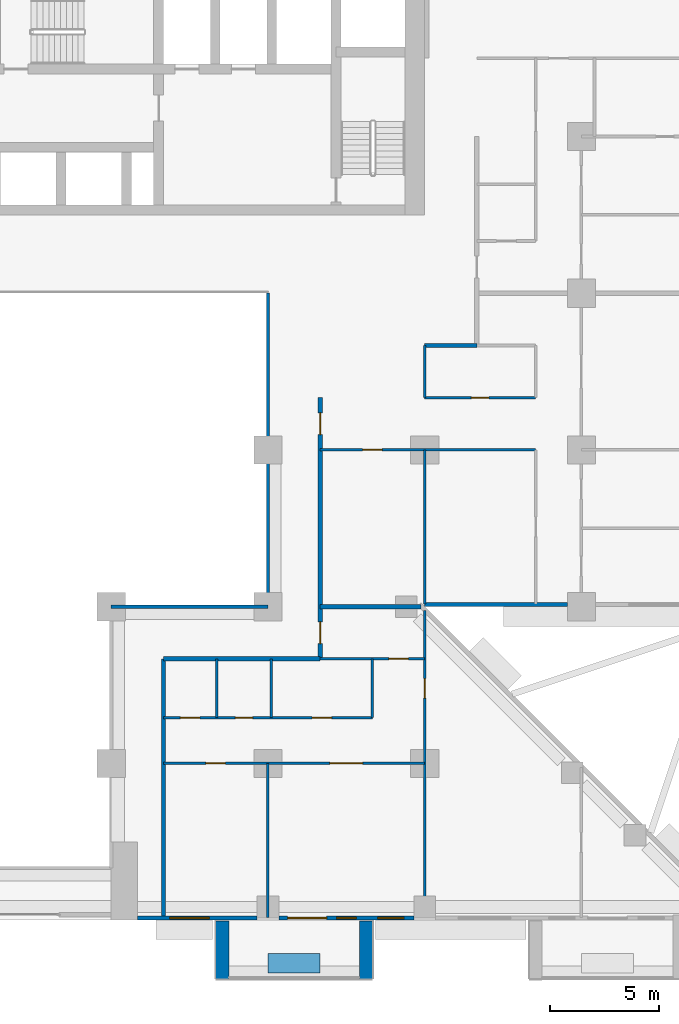
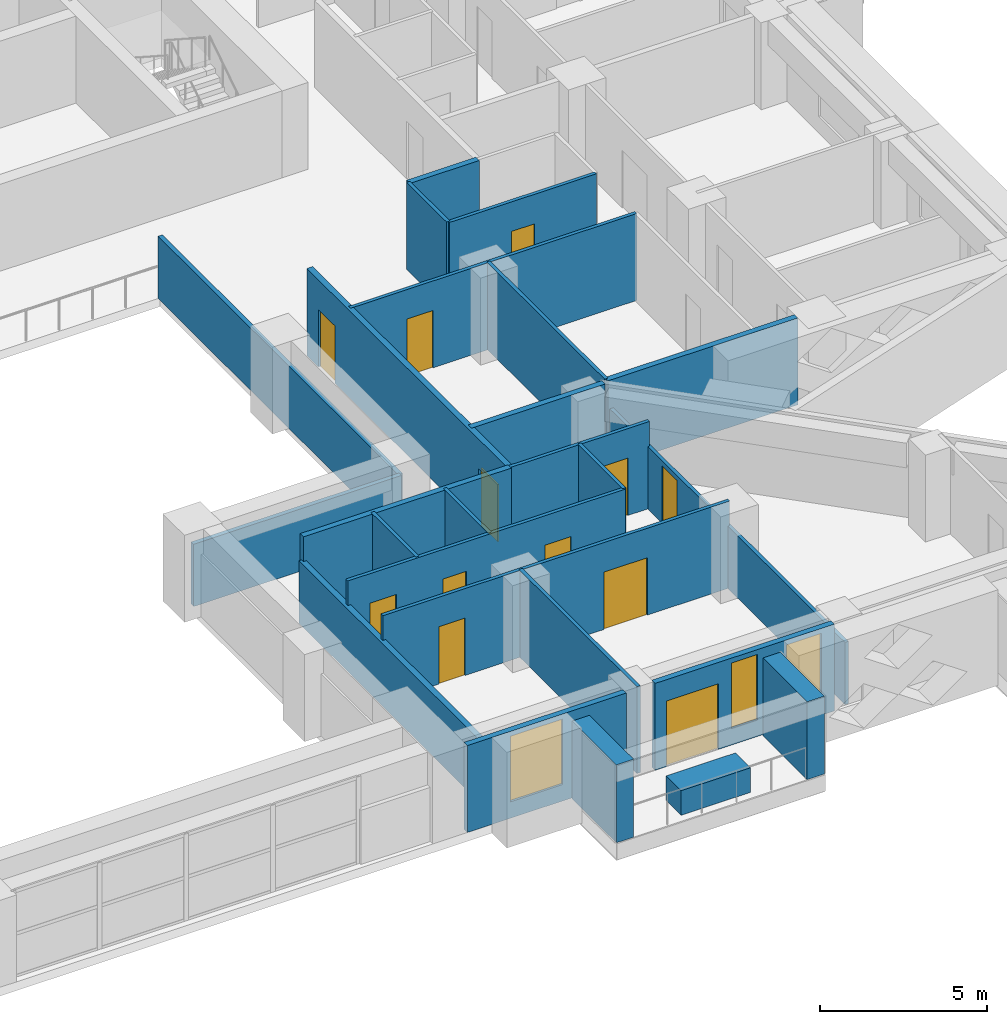
# One storey, part 8 of 17: 25 walls, 12 doors, 3 windows, 15 openings.
"""IFC4 building model written with IfcOpenShell, lengths in metres."""

from ifc_helpers import new_model, si_unit, direction, frame, frame_2d, origin, place, context, subcontext, project, spatial, rectangle, extrude, material, layer, layer_set, type_object, element, fill, save


model = new_model("IFC4")

# Units and contexts
model_context = context("Model", 3, precision=1e-05, world=origin(), true_north=direction((0.0, 1.0)))
body_context = subcontext(model_context, "Body", "Model", "MODEL_VIEW")
ifc_project = project(units=[si_unit("LENGTHUNIT", "METRE"), si_unit("AREAUNIT", "SQUARE_METRE"), si_unit("VOLUMEUNIT", "CUBIC_METRE"), si_unit("PLANEANGLEUNIT", "RADIAN"), si_unit("MASSUNIT", "GRAM", prefix="KILO")], contexts=[model_context])

# Site, building, storey
site_placement = place(None, origin())
site = spatial("IfcSite", under=ifc_project, at=site_placement, CompositionType="ELEMENT")
building_placement = place(site_placement, origin())
building = spatial("IfcBuilding", under=site, at=building_placement, Name="Saffron Iwan Residences", CompositionType="ELEMENT")
storey_placement = place(building_placement, frame((0.0, 0.0, 62.0)))
storey = spatial("IfcBuildingStorey", under=building, at=storey_placement, Name="L15", CompositionType="ELEMENT", Elevation=62.0)

# Walls
ifc_material_1 = material(Name="Fire-rated glazing", Category="glass")
ifc_layer_1 = layer(ifc_material_1, 0.14990234375)
ifc_layer_set_1 = layer_set([ifc_layer_1], Name="Fire-rated glazing")
wall_type_1 = type_object("IfcWallType", Name="Atrium glazed screen 150", PredefinedType="SOLIDWALL", material=ifc_layer_set_1)
wall_1_placement = place(storey_placement, frame((57.60009765625, 48.0, 0.0), z_axis=(0.0, 0.0, 1.0), x_axis=(1.0, 0.0, 0.0)))
element("IfcWall", 1, at=wall_1_placement, inside=storey, type_object=wall_type_1, Name="W-L15-SCREEN-h48-57.6", PredefinedType="SOLIDWALL", context=body_context, shape_type="SweptSolid", body=[
    extrude(rectangle(XDim=7.199951171875, YDim=0.14990234375, at=frame_2d((3.60009765625, 0.0))), origin(), (0.0, 0.0, 1.0), 2.280029296875),
])
wall_2_placement = place(storey_placement, frame((64.800048828125, 48.0, 0.0), z_axis=(0.0, 0.0, 1.0), x_axis=(0.0, 1.0, 0.0)))
element("IfcWall", 2, at=wall_2_placement, inside=storey, type_object=wall_type_1, Name="W-L15-SCREEN-v64.8-48", PredefinedType="SOLIDWALL", context=body_context, shape_type="SweptSolid", body=[
    extrude(rectangle(XDim=14.39990234375, YDim=0.14990234375, at=frame_2d((7.199951171875, 0.0))), origin(), (0.0, 0.0, 1.0), 2.280029296875),
])
ifc_material_2 = material(Name="Concrete C50/60 white painted", Category="concrete")
ifc_layer_2 = layer(ifc_material_2, 0.60009765625)
ifc_layer_set_2 = layer_set([ifc_layer_2], Name="Concrete C50/60 white painted")
wall_type_2 = type_object("IfcWallType", Name="BALCONY FIN 600", PredefinedType="SOLIDWALL", material=ifc_layer_set_2)
for number, where, z_axis, x_axis, name in (
    (3, (62.699951171875, 33.550048828125, 0.0), (0.0, 0.0, 1.0), (0.0, -1.0, 0.0), "Balcony fin L15 11-2a"),
    (4, (69.300048828125, 33.550048828125, 0.0), (0.0, 0.0, 1.0), (0.0, -1.0, 0.0), "Balcony fin L15 11-2b"),
):
    element("IfcWall", number, at=place(storey_placement, frame(where, z_axis=z_axis, x_axis=x_axis)), inside=storey, type_object=wall_type_2, Name=name, PredefinedType="SOLIDWALL", context=body_context, shape_type="SweptSolid", body=[
        extrude(rectangle(XDim=2.650146484375, YDim=0.60009765625, at=frame_2d((1.3251953125, 0.0))), origin(), (0.0, 0.0, 1.0), 2.85009765625),
    ])
ifc_material_3 = material(Name="Concrete C35/45 white painted", Category="concrete")
ifc_layer_3 = layer(ifc_material_3, 0.14990234375)
ifc_layer_set_3 = layer_set([ifc_layer_3], Name="Concrete C35/45 white painted")
wall_type_3 = type_object("IfcWallType", Name="BALCONY PLANTER", PredefinedType="SOLIDWALL", material=ifc_layer_set_3)
wall_3_placement = place(storey_placement, frame((64.800048828125, 31.625, 0.0), z_axis=(0.0, 0.0, 1.0), x_axis=(1.0, 0.0, 0.0)))
element("IfcWall", 5, at=wall_3_placement, inside=storey, type_object=wall_type_3, Name="PLANTER L15 11-2", PredefinedType="SOLIDWALL", context=body_context, shape_type="SweptSolid", body=[
    extrude(rectangle(XDim=2.39990234375, YDim=0.89990234375, at=frame_2d((1.199951171875, 0.0))), origin(), (0.0, 0.0, 1.0), 0.89990234375),
])
ifc_material_4 = material(Name="Concrete C40/50", Category="concrete")
ifc_layer_4 = layer(ifc_material_4, 0.199951171875)
ifc_layer_set_4 = layer_set([ifc_layer_4], Name="Concrete C40/50")
wall_type_4 = type_object("IfcWallType", Name="EXTERNAL WALL 200", PredefinedType="SOLIDWALL", material=ifc_layer_set_4)
wall_4_placement = place(storey_placement, frame((71.988525390625, 48.10009765625, 0.0), z_axis=(0.0, 0.0, 1.0), x_axis=(1.0, 0.0, 0.0)))
element("IfcWall", 6, at=wall_4_placement, inside=storey, type_object=wall_type_4, Name="External wall L15 F1.0", PredefinedType="SOLIDWALL", context=body_context, shape_type="SweptSolid", body=[
    extrude(rectangle(XDim=6.5615234375, YDim=0.199951171875, at=frame_2d((3.28076171875, 0.0))), origin(), (0.0, 0.0, 1.0), 3.179931640625),
])

# Wall, opening, window
wall_5_placement = place(storey_placement, frame((58.800048828125, 33.699951171875, 0.0), z_axis=(0.0, 0.0, 1.0), x_axis=(1.0, 0.0, 0.0)))
wall_5 = element("IfcWall", 7, at=wall_5_placement, inside=storey, type_object=wall_type_4, Name="External wall L15 F11.4", PredefinedType="SOLIDWALL", context=body_context, shape_type="SweptSolid", body=[
    extrude(rectangle(XDim=5.5, YDim=0.199951171875, at=frame_2d((2.75, 0.0))), origin(), (0.0, 0.0, 1.0), 3.179931640625),
])
opening_1_placement = place(wall_5_placement, frame((1.5, 0.0, 0.60009765625)))
opening_1 = element("IfcOpeningElement", 8, at=opening_1_placement, cuts=wall_5, Name="Opening W8", PredefinedType="OPENING", context=body_context, shape_type="SweptSolid", body=[
    extrude(rectangle(XDim=1.800048828125, YDim=2.39990234375, at=frame_2d((0.89990234375, 1.199951171875))), frame((0.0, 0.10986328125, 0.0), z_axis=(0.0, -1.0, 0.0), x_axis=(1.0, 0.0, 0.0)), (0.0, 0.0, 1.0), 0.219970703125),
])
ifc_material_5 = material(Name="Clear glass, laminated double glazed", Category="glass")
window_type_1 = type_object("IfcWindowType", Name="WINDOW 1800 x 2400", PartitioningType="DOUBLE_PANEL_VERTICAL", PredefinedType="WINDOW", material=ifc_material_5)
window_1_placement = place(opening_1_placement, origin())
window_1 = element("IfcWindow", 9, at=window_1_placement, inside=storey, type_object=window_type_1, Name="Window L15 F11.0", OverallHeight=2.39990234375, OverallWidth=1.800048828125, PartitioningType="DOUBLE_PANEL_VERTICAL", PredefinedType="WINDOW", context=body_context, shape_type="SweptSolid", body=[
    extrude(rectangle(XDim=1.800048828125, YDim=2.39990234375, at=frame_2d((0.89990234375, 1.199951171875))), frame((0.0, 0.030029296875, 0.0), z_axis=(0.0, -1.0, 0.0), x_axis=(1.0, 0.0, 0.0)), (0.0, 0.0, 1.0), 0.06005859375),
])
fill(opening_1, window_1)

# Wall, openings, door, windows
wall_6_placement = place(storey_placement, frame((65.300048828125, 33.699951171875, 0.0), z_axis=(0.0, 0.0, 1.0), x_axis=(1.0, 0.0, 0.0)))
wall_6 = element("IfcWall", 10, at=wall_6_placement, inside=storey, type_object=wall_type_4, Name="External wall L15 F11.5", PredefinedType="SOLIDWALL", context=body_context, shape_type="SweptSolid", body=[
    extrude(rectangle(XDim=6.199951171875, YDim=0.199951171875, at=frame_2d((3.10009765625, 0.0))), origin(), (0.0, 0.0, 1.0), 3.179931640625),
])
opening_2_placement = place(wall_6_placement, frame((0.39990234375, 0.0, 0.0)))
opening_2 = element("IfcOpeningElement", 11, at=opening_2_placement, cuts=wall_6, Name="Opening BD1", PredefinedType="OPENING", context=body_context, shape_type="SweptSolid", body=[
    extrude(rectangle(XDim=1.800048828125, YDim=2.39990234375, at=frame_2d((0.89990234375, 1.199951171875))), frame((0.0, 0.10986328125, 0.0), z_axis=(0.0, -1.0, 0.0), x_axis=(1.0, 0.0, 0.0)), (0.0, 0.0, 1.0), 0.219970703125),
])
opening_3_placement = place(wall_6_placement, frame((2.64990234375, 0.0, 0.60009765625)))
opening_3 = element("IfcOpeningElement", 12, at=opening_3_placement, cuts=wall_6, Name="Opening W10", PredefinedType="OPENING", context=body_context, shape_type="SweptSolid", body=[
    extrude(rectangle(XDim=0.89990234375, YDim=2.39990234375, at=frame_2d((0.449951171875, 1.199951171875))), frame((0.0, 0.10986328125, 0.0), z_axis=(0.0, -1.0, 0.0), x_axis=(1.0, 0.0, 0.0)), (0.0, 0.0, 1.0), 0.219970703125),
])
opening_4_placement = place(wall_6_placement, frame((4.550048828125, 0.0, 0.60009765625)))
opening_4 = element("IfcOpeningElement", 13, at=opening_4_placement, cuts=wall_6, Name="Opening W3", PredefinedType="OPENING", context=body_context, shape_type="SweptSolid", body=[
    extrude(rectangle(XDim=1.199951171875, YDim=2.39990234375, at=frame_2d((0.60009765625, 1.199951171875))), frame((0.0, 0.10986328125, 0.0), z_axis=(0.0, -1.0, 0.0), x_axis=(1.0, 0.0, 0.0)), (0.0, 0.0, 1.0), 0.219970703125),
])
door_type_1 = type_object("IfcDoorType", Name="BALCONY DOOR 1800 x 2400", OperationType="DOUBLE_DOOR_SLIDING", PredefinedType="DOOR", material=ifc_material_5)
door_1_placement = place(opening_2_placement, origin())
door_1 = element("IfcDoor", 14, at=door_1_placement, inside=storey, type_object=door_type_1, Name="Balcony door L15 F11.0", OperationType="DOUBLE_DOOR_SLIDING", OverallHeight=2.39990234375, OverallWidth=1.800048828125, PredefinedType="DOOR", context=body_context, shape_type="SweptSolid", body=[
    extrude(rectangle(XDim=1.800048828125, YDim=2.39990234375, at=frame_2d((0.89990234375, 1.199951171875))), frame((0.0, 0.02490234375, 0.0), z_axis=(0.0, -1.0, 0.0), x_axis=(1.0, 0.0, 0.0)), (0.0, 0.0, 1.0), 0.050048828125),
])
fill(opening_2, door_1)
window_type_2 = type_object("IfcWindowType", Name="WINDOW 1200 x 2400", PartitioningType="SINGLE_PANEL", PredefinedType="WINDOW", material=ifc_material_5)
window_2_placement = place(opening_4_placement, origin())
window_2 = element("IfcWindow", 15, at=window_2_placement, inside=storey, type_object=window_type_2, Name="Window L15 F11.2", OverallHeight=2.39990234375, OverallWidth=1.199951171875, PartitioningType="SINGLE_PANEL", PredefinedType="WINDOW", context=body_context, shape_type="SweptSolid", body=[
    extrude(rectangle(XDim=1.199951171875, YDim=2.39990234375, at=frame_2d((0.60009765625, 1.199951171875))), frame((0.0, 0.030029296875, 0.0), z_axis=(0.0, -1.0, 0.0), x_axis=(1.0, 0.0, 0.0)), (0.0, 0.0, 1.0), 0.06005859375),
])
fill(opening_4, window_2)
window_type_3 = type_object("IfcWindowType", Name="WINDOW 900 x 2400", PartitioningType="SINGLE_PANEL", PredefinedType="WINDOW", material=ifc_material_5)
window_3_placement = place(opening_3_placement, origin())
window_3 = element("IfcWindow", 16, at=window_3_placement, inside=storey, type_object=window_type_3, Name="Window L15 F11.1", OverallHeight=2.39990234375, OverallWidth=0.89990234375, PartitioningType="SINGLE_PANEL", PredefinedType="WINDOW", context=body_context, shape_type="SweptSolid", body=[
    extrude(rectangle(XDim=0.89990234375, YDim=2.39990234375, at=frame_2d((0.449951171875, 1.199951171875))), frame((0.0, 0.030029296875, 0.0), z_axis=(0.0, -1.0, 0.0), x_axis=(1.0, 0.0, 0.0)), (0.0, 0.0, 1.0), 0.06005859375),
])
fill(opening_3, window_3)

# Wall
ifc_material_6 = material(Name="Fire-rated gypsum board wall")
ifc_layer_5 = layer(ifc_material_6, 0.199951171875)
ifc_layer_set_5 = layer_set([ifc_layer_5], Name="Fire-rated gypsum board wall")
wall_type_5 = type_object("IfcWallType", Name="Flat demising wall 200", PredefinedType="SOLIDWALL", material=ifc_layer_set_5)
wall_7_placement = place(storey_placement, frame((67.199951171875, 48.0, 0.0), z_axis=(0.0, 0.0, 1.0), x_axis=(1.0, 0.0, 0.0)))
element("IfcWall", 17, at=wall_7_placement, inside=storey, type_object=wall_type_5, Name="W-L15-DEMISE-h48-67.2", PredefinedType="SOLIDWALL", context=body_context, shape_type="SweptSolid", body=[
    extrude(rectangle(XDim=4.623046875, YDim=0.199951171875, at=frame_2d((2.3115234375, 0.0))), origin(), (0.0, 0.0, 1.0), 3.179931640625),
])

# Wall, openings, doors
ifc_material_7 = material(Name="Gypsum board partition")
ifc_layer_6 = layer(ifc_material_7, 0.1201171875)
ifc_layer_set_6 = layer_set([ifc_layer_6], Name="Gypsum board partition")
wall_type_6 = type_object("IfcWallType", Name="Flat partition 120", PredefinedType="PARTITIONING", material=ifc_layer_set_6)
wall_8_placement = place(storey_placement, frame((60.0, 40.800048828125, 0.0), z_axis=(0.0, 0.0, 1.0), x_axis=(1.0, 0.0, 0.0)))
wall_8 = element("IfcWall", 18, at=wall_8_placement, inside=storey, type_object=wall_type_6, Name="W-L15-PART-h40.8-60", PredefinedType="PARTITIONING", context=body_context, shape_type="SweptSolid", body=[
    extrude(rectangle(XDim=12.0, YDim=0.1201171875, at=frame_2d((6.0, 0.0))), origin(), (0.0, 0.0, 1.0), 3.179931640625),
])
opening_5_placement = place(wall_8_placement, frame((7.64990234375, 0.0, 0.0)))
opening_5 = element("IfcOpeningElement", 19, at=opening_5_placement, cuts=wall_8, Name="Opening FD4", PredefinedType="OPENING", context=body_context, shape_type="SweptSolid", body=[
    extrude(rectangle(XDim=1.5, YDim=2.10009765625, at=frame_2d((0.75, 1.050048828125))), frame((0.0, 0.070068359375, 0.0), z_axis=(0.0, -1.0, 0.0), x_axis=(1.0, 0.0, 0.0)), (0.0, 0.0, 1.0), 0.14013671875),
])
opening_6_placement = place(wall_8_placement, frame((1.949951171875, 0.0, 0.0)))
opening_6 = element("IfcOpeningElement", 20, at=opening_6_placement, cuts=wall_8, Name="Opening FD2", PredefinedType="OPENING", context=body_context, shape_type="SweptSolid", body=[
    extrude(rectangle(XDim=0.89990234375, YDim=2.10009765625, at=frame_2d((0.449951171875, 1.050048828125))), frame((0.0, 0.070068359375, 0.0), z_axis=(0.0, -1.0, 0.0), x_axis=(1.0, 0.0, 0.0)), (0.0, 0.0, 1.0), 0.14013671875),
])
ifc_material_8 = material(Name="Timber door", Category="wood")
door_type_2 = type_object("IfcDoorType", Name="Double door 1500", OperationType="NOTDEFINED", PredefinedType="DOOR", material=ifc_material_8)
door_2_placement = place(opening_5_placement, origin())
door_2 = element("IfcDoor", 21, at=door_2_placement, inside=storey, type_object=door_type_2, Name="Door L15-043", OperationType="SINGLE_SWING_RIGHT", OverallHeight=2.10009765625, OverallWidth=1.5, PredefinedType="DOOR", context=body_context, shape_type="SweptSolid", body=[
    extrude(rectangle(XDim=1.5, YDim=2.10009765625, at=frame_2d((0.75, 1.050048828125))), frame((0.0, 0.02490234375, 0.0), z_axis=(0.0, -1.0, 0.0), x_axis=(1.0, 0.0, 0.0)), (0.0, 0.0, 1.0), 0.050048828125),
])
fill(opening_5, door_2)
door_type_3 = type_object("IfcDoorType", Name="Flat door 900", OperationType="NOTDEFINED", PredefinedType="DOOR", material=ifc_material_8)
door_3_placement = place(opening_6_placement, origin())
door_3 = element("IfcDoor", 22, at=door_3_placement, inside=storey, type_object=door_type_3, Name="Door L15-044", OperationType="SINGLE_SWING_LEFT", OverallHeight=2.10009765625, OverallWidth=0.89990234375, PredefinedType="DOOR", context=body_context, shape_type="SweptSolid", body=[
    extrude(rectangle(XDim=0.89990234375, YDim=2.10009765625, at=frame_2d((0.449951171875, 1.050048828125))), frame((0.0, 0.02490234375, 0.0), z_axis=(0.0, -1.0, 0.0), x_axis=(1.0, 0.0, 0.0)), (0.0, 0.0, 1.0), 0.050048828125),
])
fill(opening_6, door_3)

wall_9_placement = place(storey_placement, frame((60.0, 42.89990234375, 0.0), z_axis=(0.0, 0.0, 1.0), x_axis=(1.0, 0.0, 0.0)))
wall_9 = element("IfcWall", 23, at=wall_9_placement, inside=storey, type_object=wall_type_6, Name="W-L15-PART-h42.9-60", PredefinedType="PARTITIONING", context=body_context, shape_type="SweptSolid", body=[
    extrude(rectangle(XDim=9.60009765625, YDim=0.1201171875, at=frame_2d((4.800048828125, 0.0))), origin(), (0.0, 0.0, 1.0), 3.179931640625),
])
opening_7_placement = place(wall_9_placement, frame((6.824951171875, 0.0, 0.0)))
opening_7 = element("IfcOpeningElement", 24, at=opening_7_placement, cuts=wall_9, Name="Opening FD2", PredefinedType="OPENING", context=body_context, shape_type="SweptSolid", body=[
    extrude(rectangle(XDim=0.89990234375, YDim=2.10009765625, at=frame_2d((0.449951171875, 1.050048828125))), frame((0.0, 0.070068359375, 0.0), z_axis=(0.0, -1.0, 0.0), x_axis=(1.0, 0.0, 0.0)), (0.0, 0.0, 1.0), 0.14013671875),
])
opening_8_placement = place(wall_9_placement, frame((3.300048828125, 0.0, 0.0)))
opening_8 = element("IfcOpeningElement", 25, at=opening_8_placement, cuts=wall_9, Name="Opening FD3", PredefinedType="OPENING", context=body_context, shape_type="SweptSolid", body=[
    extrude(rectangle(XDim=0.800048828125, YDim=2.10009765625, at=frame_2d((0.39990234375, 1.050048828125))), frame((0.0, 0.070068359375, 0.0), z_axis=(0.0, -1.0, 0.0), x_axis=(1.0, 0.0, 0.0)), (0.0, 0.0, 1.0), 0.14013671875),
])
opening_9_placement = place(wall_9_placement, frame((0.77490234375, 0.0, 0.0)))
opening_9 = element("IfcOpeningElement", 26, at=opening_9_placement, cuts=wall_9, Name="Opening FD2", PredefinedType="OPENING", context=body_context, shape_type="SweptSolid", body=[
    extrude(rectangle(XDim=0.89990234375, YDim=2.10009765625, at=frame_2d((0.449951171875, 1.050048828125))), frame((0.0, 0.070068359375, 0.0), z_axis=(0.0, -1.0, 0.0), x_axis=(1.0, 0.0, 0.0)), (0.0, 0.0, 1.0), 0.14013671875),
])
door_type_4 = type_object("IfcDoorType", Name="Bathroom door 800", OperationType="NOTDEFINED", PredefinedType="DOOR", material=ifc_material_8)
door_4_placement = place(opening_8_placement, origin())
door_4 = element("IfcDoor", 27, at=door_4_placement, inside=storey, type_object=door_type_4, Name="Door L15-046", OperationType="SINGLE_SWING_RIGHT", OverallHeight=2.10009765625, OverallWidth=0.800048828125, PredefinedType="DOOR", context=body_context, shape_type="SweptSolid", body=[
    extrude(rectangle(XDim=0.800048828125, YDim=2.10009765625, at=frame_2d((0.39990234375, 1.050048828125))), frame((0.0, 0.02490234375, 0.0), z_axis=(0.0, -1.0, 0.0), x_axis=(1.0, 0.0, 0.0)), (0.0, 0.0, 1.0), 0.050048828125),
])
fill(opening_8, door_4)
door_5_placement = place(opening_7_placement, origin())
door_5 = element("IfcDoor", 28, at=door_5_placement, inside=storey, type_object=door_type_3, Name="Door L15-045", OperationType="SINGLE_SWING_LEFT", OverallHeight=2.10009765625, OverallWidth=0.89990234375, PredefinedType="DOOR", context=body_context, shape_type="SweptSolid", body=[
    extrude(rectangle(XDim=0.89990234375, YDim=2.10009765625, at=frame_2d((0.449951171875, 1.050048828125))), frame((0.0, 0.02490234375, 0.0), z_axis=(0.0, -1.0, 0.0), x_axis=(1.0, 0.0, 0.0)), (0.0, 0.0, 1.0), 0.050048828125),
])
fill(opening_7, door_5)
door_6_placement = place(opening_9_placement, origin())
door_6 = element("IfcDoor", 29, at=door_6_placement, inside=storey, type_object=door_type_3, Name="Door L15-047", OperationType="SINGLE_SWING_LEFT", OverallHeight=2.10009765625, OverallWidth=0.89990234375, PredefinedType="DOOR", context=body_context, shape_type="SweptSolid", body=[
    extrude(rectangle(XDim=0.89990234375, YDim=2.10009765625, at=frame_2d((0.449951171875, 1.050048828125))), frame((0.0, 0.02490234375, 0.0), z_axis=(0.0, -1.0, 0.0), x_axis=(1.0, 0.0, 0.0)), (0.0, 0.0, 1.0), 0.050048828125),
])
fill(opening_9, door_6)

# Wall, opening, door
wall_10_placement = place(storey_placement, frame((67.199951171875, 45.60009765625, 0.0), z_axis=(0.0, 0.0, 1.0), x_axis=(1.0, 0.0, 0.0)))
wall_10 = element("IfcWall", 30, at=wall_10_placement, inside=storey, type_object=wall_type_6, Name="W-L15-PART-h45.6-67.2", PredefinedType="PARTITIONING", context=body_context, shape_type="SweptSolid", body=[
    extrude(rectangle(XDim=4.800048828125, YDim=0.1201171875, at=frame_2d((2.39990234375, 0.0))), origin(), (0.0, 0.0, 1.0), 3.179931640625),
])
opening_10_placement = place(wall_10_placement, frame((3.14990234375, 0.0, 0.0)))
opening_10 = element("IfcOpeningElement", 31, at=opening_10_placement, cuts=wall_10, Name="Opening FD2", PredefinedType="OPENING", context=body_context, shape_type="SweptSolid", body=[
    extrude(rectangle(XDim=0.89990234375, YDim=2.10009765625, at=frame_2d((0.449951171875, 1.050048828125))), frame((0.0, 0.070068359375, 0.0), z_axis=(0.0, -1.0, 0.0), x_axis=(1.0, 0.0, 0.0)), (0.0, 0.0, 1.0), 0.14013671875),
])
door_7_placement = place(opening_10_placement, origin())
door_7 = element("IfcDoor", 32, at=door_7_placement, inside=storey, type_object=door_type_3, Name="Door L15-041", OperationType="SINGLE_SWING_LEFT", OverallHeight=2.10009765625, OverallWidth=0.89990234375, PredefinedType="DOOR", context=body_context, shape_type="SweptSolid", body=[
    extrude(rectangle(XDim=0.89990234375, YDim=2.10009765625, at=frame_2d((0.449951171875, 1.050048828125))), frame((0.0, 0.02490234375, 0.0), z_axis=(0.0, -1.0, 0.0), x_axis=(1.0, 0.0, 0.0)), (0.0, 0.0, 1.0), 0.050048828125),
])
fill(opening_10, door_7)

wall_11_placement = place(storey_placement, frame((67.199951171875, 55.199951171875, 0.0), z_axis=(0.0, 0.0, 1.0), x_axis=(1.0, 0.0, 0.0)))
wall_11 = element("IfcWall", 33, at=wall_11_placement, inside=storey, type_object=wall_type_6, Name="W-L15-PART-h55.2-67.2", PredefinedType="PARTITIONING", context=body_context, shape_type="SweptSolid", body=[
    extrude(rectangle(XDim=9.900146484375, YDim=0.1201171875, at=frame_2d((4.9501953125, 0.0))), origin(), (0.0, 0.0, 1.0), 3.179931640625),
])
opening_11_placement = place(wall_11_placement, frame((1.949951171875, 0.0, 0.0)))
opening_11 = element("IfcOpeningElement", 34, at=opening_11_placement, cuts=wall_11, Name="Opening FD2", PredefinedType="OPENING", context=body_context, shape_type="SweptSolid", body=[
    extrude(rectangle(XDim=0.89990234375, YDim=2.10009765625, at=frame_2d((0.449951171875, 1.050048828125))), frame((0.0, 0.070068359375, 0.0), z_axis=(0.0, -1.0, 0.0), x_axis=(1.0, 0.0, 0.0)), (0.0, 0.0, 1.0), 0.14013671875),
])
door_8_placement = place(opening_11_placement, origin())
door_8 = element("IfcDoor", 35, at=door_8_placement, inside=storey, type_object=door_type_3, Name="Door L15-026", OperationType="SINGLE_SWING_LEFT", OverallHeight=2.10009765625, OverallWidth=0.89990234375, PredefinedType="DOOR", context=body_context, shape_type="SweptSolid", body=[
    extrude(rectangle(XDim=0.89990234375, YDim=2.10009765625, at=frame_2d((0.449951171875, 1.050048828125))), frame((0.0, 0.02490234375, 0.0), z_axis=(0.0, -1.0, 0.0), x_axis=(1.0, 0.0, 0.0)), (0.0, 0.0, 1.0), 0.050048828125),
])
fill(opening_11, door_8)

wall_12_placement = place(storey_placement, frame((72.0, 57.60009765625, 0.0), z_axis=(0.0, 0.0, 1.0), x_axis=(1.0, 0.0, 0.0)))
wall_12 = element("IfcWall", 36, at=wall_12_placement, inside=storey, type_object=wall_type_6, Name="W-L15-PART-h57.6-72", PredefinedType="PARTITIONING", context=body_context, shape_type="SweptSolid", body=[
    extrude(rectangle(XDim=5.10009765625, YDim=0.1201171875, at=frame_2d((2.550048828125, 0.0))), origin(), (0.0, 0.0, 1.0), 3.179931640625),
])
opening_12_placement = place(wall_12_placement, frame((2.14990234375, 0.0, 0.0)))
opening_12 = element("IfcOpeningElement", 37, at=opening_12_placement, cuts=wall_12, Name="Opening FD3", PredefinedType="OPENING", context=body_context, shape_type="SweptSolid", body=[
    extrude(rectangle(XDim=0.800048828125, YDim=2.10009765625, at=frame_2d((0.39990234375, 1.050048828125))), frame((0.0, 0.070068359375, 0.0), z_axis=(0.0, -1.0, 0.0), x_axis=(1.0, 0.0, 0.0)), (0.0, 0.0, 1.0), 0.14013671875),
])
door_9_placement = place(opening_12_placement, origin())
door_9 = element("IfcDoor", 38, at=door_9_placement, inside=storey, type_object=door_type_4, Name="Door L15-025", OperationType="SINGLE_SWING_RIGHT", OverallHeight=2.10009765625, OverallWidth=0.800048828125, PredefinedType="DOOR", context=body_context, shape_type="SweptSolid", body=[
    extrude(rectangle(XDim=0.800048828125, YDim=2.10009765625, at=frame_2d((0.39990234375, 1.050048828125))), frame((0.0, 0.02490234375, 0.0), z_axis=(0.0, -1.0, 0.0), x_axis=(1.0, 0.0, 0.0)), (0.0, 0.0, 1.0), 0.050048828125),
])
fill(opening_12, door_9)

# Walls
wall_13_placement = place(storey_placement, frame((62.449951171875, 42.89990234375, 0.0), z_axis=(0.0, 0.0, 1.0), x_axis=(0.0, 1.0, 0.0)))
element("IfcWall", 39, at=wall_13_placement, inside=storey, type_object=wall_type_6, Name="W-L15-PART-v62.45-42.9", PredefinedType="PARTITIONING", context=body_context, shape_type="SweptSolid", body=[
    extrude(rectangle(XDim=2.7001953125, YDim=0.1201171875, at=frame_2d((1.35009765625, 0.0))), origin(), (0.0, 0.0, 1.0), 3.179931640625),
])
wall_14_placement = place(storey_placement, frame((64.800048828125, 33.72509765625, 0.0), z_axis=(0.0, 0.0, 1.0), x_axis=(0.0, 1.0, 0.0)))
element("IfcWall", 40, at=wall_14_placement, inside=storey, type_object=wall_type_6, Name="W-L15-PART-v64.8-33.725", PredefinedType="PARTITIONING", context=body_context, shape_type="SweptSolid", body=[
    extrude(rectangle(XDim=7.074951171875, YDim=0.1201171875, at=frame_2d((3.53759765625, 0.0))), origin(), (0.0, 0.0, 1.0), 3.179931640625),
])
for number, where, z_axis, x_axis, name in (
    (41, (64.949951171875, 42.89990234375, 0.0), (0.0, 0.0, 1.0), (0.0, 1.0, 0.0), "W-L15-PART-v64.95-42.9"),
    (42, (69.60009765625, 42.89990234375, 0.0), (0.0, 0.0, 1.0), (0.0, 1.0, 0.0), "W-L15-PART-v69.6-42.9"),
):
    element("IfcWall", number, at=place(storey_placement, frame(where, z_axis=z_axis, x_axis=x_axis)), inside=storey, type_object=wall_type_6, Name=name, PredefinedType="PARTITIONING", context=body_context, shape_type="SweptSolid", body=[
        extrude(rectangle(XDim=2.7001953125, YDim=0.1201171875, at=frame_2d((1.35009765625, 0.0))), origin(), (0.0, 0.0, 1.0), 3.179931640625),
    ])

# Wall, opening, door
wall_15_placement = place(storey_placement, frame((72.0, 33.72509765625, 0.0), z_axis=(0.0, 0.0, 1.0), x_axis=(0.0, 1.0, 0.0)))
wall_15 = element("IfcWall", 43, at=wall_15_placement, inside=storey, type_object=wall_type_6, Name="W-L15-PART-v72-33.725", PredefinedType="PARTITIONING", context=body_context, shape_type="SweptSolid", body=[
    extrude(rectangle(XDim=14.097900390625, YDim=0.1201171875, at=frame_2d((7.048828125, 0.0))), origin(), (0.0, 0.0, 1.0), 2.280029296875),
])
opening_13_placement = place(wall_15_placement, frame((10.074951171875, 0.0, 0.0)))
opening_13 = element("IfcOpeningElement", 44, at=opening_13_placement, cuts=wall_15, Name="Opening FD2", PredefinedType="OPENING", context=body_context, shape_type="SweptSolid", body=[
    extrude(rectangle(XDim=0.89990234375, YDim=2.10009765625, at=frame_2d((0.449951171875, 1.050048828125))), frame((0.0, 0.070068359375, 0.0), z_axis=(0.0, -1.0, 0.0), x_axis=(1.0, 0.0, 0.0)), (0.0, 0.0, 1.0), 0.14013671875),
])
door_10_placement = place(opening_13_placement, origin())
door_10 = element("IfcDoor", 45, at=door_10_placement, inside=storey, type_object=door_type_3, Name="Door L15-048", OperationType="SINGLE_SWING_LEFT", OverallHeight=2.10009765625, OverallWidth=0.89990234375, PredefinedType="DOOR", context=body_context, shape_type="SweptSolid", body=[
    extrude(rectangle(XDim=0.89990234375, YDim=2.10009765625, at=frame_2d((0.449951171875, 1.050048828125))), frame((0.0, 0.02490234375, 0.0), z_axis=(0.0, -1.0, 0.0), x_axis=(1.0, 0.0, 0.0)), (0.0, 0.0, 1.0), 0.050048828125),
])
fill(opening_13, door_10)

# Walls
wall_16_placement = place(storey_placement, frame((72.0, 48.125, 0.0), z_axis=(0.0, 0.0, 1.0), x_axis=(0.0, 1.0, 0.0)))
element("IfcWall", 46, at=wall_16_placement, inside=storey, type_object=wall_type_6, Name="W-L15-PART-v72-48.125", PredefinedType="PARTITIONING", context=body_context, shape_type="SweptSolid", body=[
    extrude(rectangle(XDim=7.074951171875, YDim=0.1201171875, at=frame_2d((3.53759765625, 0.0))), origin(), (0.0, 0.0, 1.0), 3.179931640625),
])
wall_17_placement = place(storey_placement, frame((72.0, 57.60009765625, 0.0), z_axis=(0.0, 0.0, 1.0), x_axis=(0.0, 1.0, 0.0)))
element("IfcWall", 47, at=wall_17_placement, inside=storey, type_object=wall_type_6, Name="W-L15-PART-v72-57.6", PredefinedType="PARTITIONING", context=body_context, shape_type="SweptSolid", body=[
    extrude(rectangle(XDim=2.39990234375, YDim=0.1201171875, at=frame_2d((1.199951171875, 0.0))), origin(), (0.0, 0.0, 1.0), 3.179931640625),
])
ifc_layer_7 = layer(ifc_material_6, 0.199951171875)
ifc_layer_set_7 = layer_set([ifc_layer_7], Name="Fire-rated gypsum board wall")
wall_type_7 = type_object("IfcWallType", Name="Gallery wall 200", PredefinedType="SOLIDWALL", material=ifc_layer_set_7)
wall_18_placement = place(storey_placement, frame((60.0, 45.60009765625, 0.0), z_axis=(0.0, 0.0, 1.0), x_axis=(1.0, 0.0, 0.0)))
element("IfcWall", 48, at=wall_18_placement, inside=storey, type_object=wall_type_7, Name="W-L15-CORR-h45.6-60", PredefinedType="SOLIDWALL", context=body_context, shape_type="SweptSolid", body=[
    extrude(rectangle(XDim=7.199951171875, YDim=0.199951171875, at=frame_2d((3.60009765625, 0.0))), origin(), (0.0, 0.0, 1.0), 3.179931640625),
])
wall_19_placement = place(storey_placement, frame((72.0, 60.0, 0.0), z_axis=(0.0, 0.0, 1.0), x_axis=(1.0, 0.0, 0.0)))
element("IfcWall", 49, at=wall_19_placement, inside=storey, type_object=wall_type_7, Name="W-L15-CORR-h60-72", PredefinedType="SOLIDWALL", context=body_context, shape_type="SweptSolid", body=[
    extrude(rectangle(XDim=2.39990234375, YDim=0.199951171875, at=frame_2d((1.199951171875, 0.0))), origin(), (0.0, 0.0, 1.0), 3.179931640625),
])
wall_20_placement = place(storey_placement, frame((60.0, 33.72509765625, 0.0), z_axis=(0.0, 0.0, 1.0), x_axis=(0.0, 1.0, 0.0)))
element("IfcWall", 50, at=wall_20_placement, inside=storey, type_object=wall_type_7, Name="W-L15-CORR-v60-33.725", PredefinedType="SOLIDWALL", context=body_context, shape_type="SweptSolid", body=[
    extrude(rectangle(XDim=11.875, YDim=0.199951171875, at=frame_2d((5.9375, 0.0))), origin(), (0.0, 0.0, 1.0), 2.280029296875),
])

# Wall, openings, doors
wall_21_placement = place(storey_placement, frame((67.199951171875, 45.60009765625, 0.0), z_axis=(0.0, 0.0, 1.0), x_axis=(0.0, 1.0, 0.0)))
wall_21 = element("IfcWall", 51, at=wall_21_placement, inside=storey, type_object=wall_type_7, Name="W-L15-CORR-v67.2-45.6", PredefinedType="SOLIDWALL", context=body_context, shape_type="SweptSolid", body=[
    extrude(rectangle(XDim=12.0, YDim=0.199951171875, at=frame_2d((6.0, 0.0))), origin(), (0.0, 0.0, 1.0), 3.179931640625),
])
opening_14_placement = place(wall_21_placement, frame((10.300048828125, 0.0, 0.0)))
opening_14 = element("IfcOpeningElement", 52, at=opening_14_placement, cuts=wall_21, Name="Opening FD1", PredefinedType="OPENING", context=body_context, shape_type="SweptSolid", body=[
    extrude(rectangle(XDim=1.0, YDim=2.10009765625, at=frame_2d((0.5, 1.050048828125))), frame((0.0, 0.10986328125, 0.0), z_axis=(0.0, -1.0, 0.0), x_axis=(1.0, 0.0, 0.0)), (0.0, 0.0, 1.0), 0.219970703125),
])
opening_15_placement = place(wall_21_placement, frame((0.699951171875, 0.0, 0.0)))
opening_15 = element("IfcOpeningElement", 53, at=opening_15_placement, cuts=wall_21, Name="Opening FD5", PredefinedType="OPENING", context=body_context, shape_type="SweptSolid", body=[
    extrude(rectangle(XDim=1.0, YDim=2.10009765625, at=frame_2d((0.5, 1.050048828125))), frame((0.0, 0.10986328125, 0.0), z_axis=(0.0, -1.0, 0.0), x_axis=(1.0, 0.0, 0.0)), (0.0, 0.0, 1.0), 0.219970703125),
])
ifc_material_9 = material(Name="Fire-rated timber door", Category="wood")
door_type_5 = type_object("IfcDoorType", Name="FD30S flat entrance door 1000", OperationType="NOTDEFINED", PredefinedType="DOOR", material=ifc_material_9)
door_11_placement = place(opening_14_placement, origin())
door_11 = element("IfcDoor", 54, at=door_11_placement, inside=storey, type_object=door_type_5, Name="Door L15-020", OperationType="SINGLE_SWING_LEFT", OverallHeight=2.10009765625, OverallWidth=1.0, PredefinedType="DOOR", context=body_context, shape_type="SweptSolid", body=[
    extrude(rectangle(XDim=1.0, YDim=2.10009765625, at=frame_2d((0.5, 1.050048828125))), frame((0.0, 0.02490234375, 0.0), z_axis=(0.0, -1.0, 0.0), x_axis=(1.0, 0.0, 0.0)), (0.0, 0.0, 1.0), 0.050048828125),
])
fill(opening_14, door_11)
door_type_6 = type_object("IfcDoorType", Name="Lobby door 1000", OperationType="NOTDEFINED", PredefinedType="DOOR", material=ifc_material_9)
door_12_placement = place(opening_15_placement, origin())
door_12 = element("IfcDoor", 55, at=door_12_placement, inside=storey, type_object=door_type_6, Name="Door L15-042", OperationType="SINGLE_SWING_LEFT", OverallHeight=2.10009765625, OverallWidth=1.0, PredefinedType="DOOR", context=body_context, shape_type="SweptSolid", body=[
    extrude(rectangle(XDim=1.0, YDim=2.10009765625, at=frame_2d((0.5, 1.050048828125))), frame((0.0, 0.02490234375, 0.0), z_axis=(0.0, -1.0, 0.0), x_axis=(1.0, 0.0, 0.0)), (0.0, 0.0, 1.0), 0.050048828125),
])
fill(opening_15, door_12)

save(model, "model.ifc")
